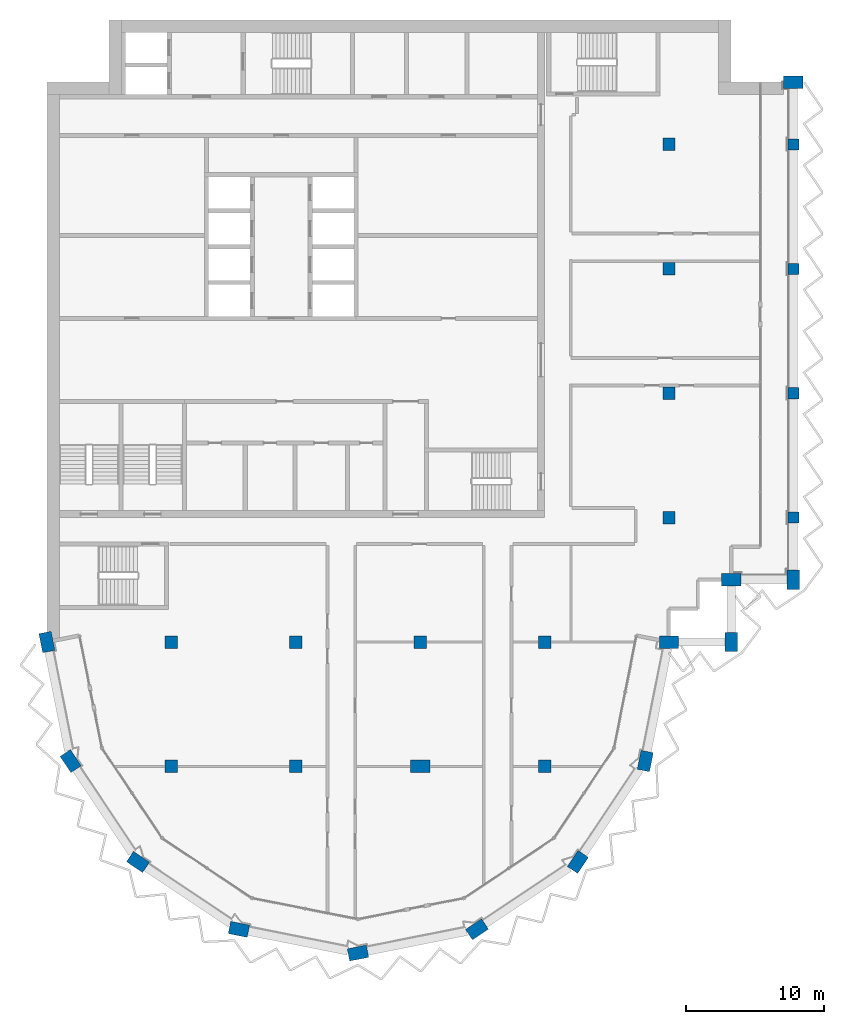
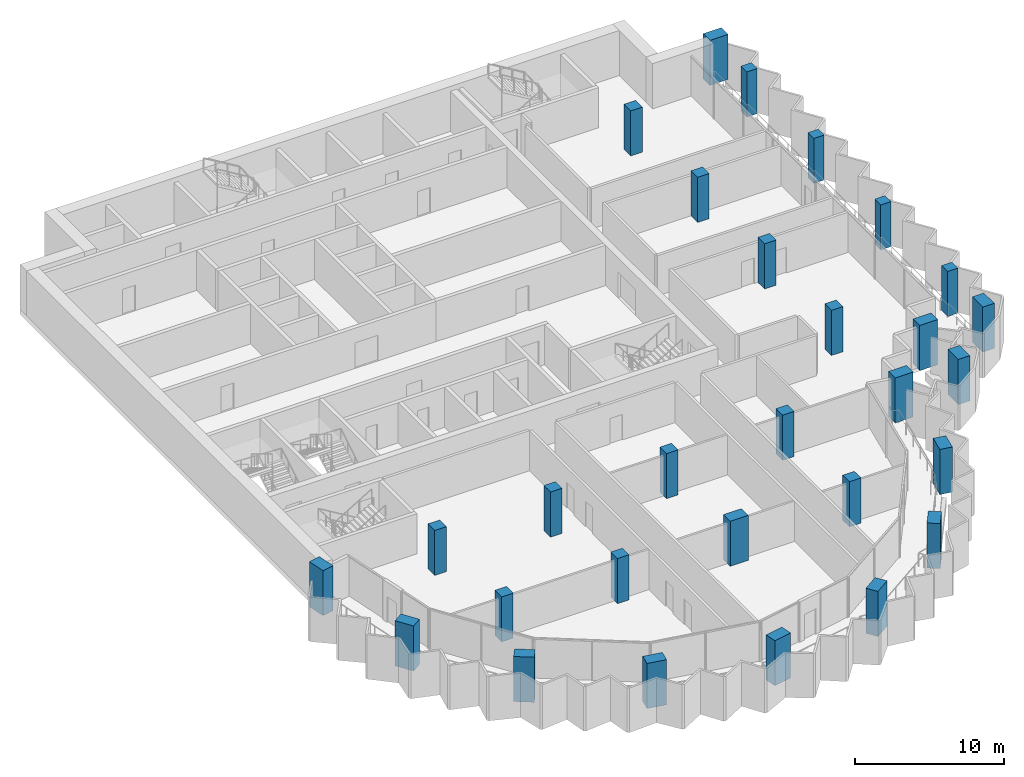
# One storey, part 1 of 14: 29 columns.
"""IFC4 building model written with IfcOpenShell, lengths in metres."""

from ifc_helpers import new_model, si_unit, direction, frame, origin, origin_2d, place, context, subcontext, project, spatial, rectangle, extrude, material, material_profile, profile_set, type_object, element, save


model = new_model("IFC4")

# Units and contexts
model_context = context("Model", 3, precision=1e-05, world=origin(), true_north=direction((0.0, 1.0)))
body_context = subcontext(model_context, "Body", "Model", "MODEL_VIEW")
ifc_project = project(units=[si_unit("LENGTHUNIT", "METRE"), si_unit("AREAUNIT", "SQUARE_METRE"), si_unit("VOLUMEUNIT", "CUBIC_METRE"), si_unit("PLANEANGLEUNIT", "RADIAN"), si_unit("MASSUNIT", "GRAM", prefix="KILO")], contexts=[model_context])

# Site, building, storey
site_placement = place(None, origin())
site = spatial("IfcSite", under=ifc_project, at=site_placement, CompositionType="ELEMENT")
building_placement = place(site_placement, origin())
building = spatial("IfcBuilding", under=site, at=building_placement, Name="Hunhe Ridgeline Campus", CompositionType="ELEMENT")
storey_placement = place(building_placement, frame((0.0, 0.0, 288.199951171875)))
storey = spatial("IfcBuildingStorey", under=building, at=storey_placement, Name="L74", CompositionType="ELEMENT", Elevation=288.199951171875)

# Columns
ifc_material = material(Name="Concrete C50", Category="concrete")
ifc_material_profile_1 = material_profile(ifc_material, rectangle(XDim=1.39990234375, YDim=0.89990234375, at=origin_2d()))
ifc_profile_set_1 = profile_set([ifc_material_profile_1], Name="Concrete C50")
column_type_1 = type_object("IfcColumnType", Name="Megacolumn 1400x900 Concrete C50", PredefinedType="COLUMN", material=ifc_profile_set_1)
for number, where, z_axis, x_axis, name in (
    (1, (22.5, 31.5, 0.0), (0.0, 0.0, 1.0), (0.980785280403, 0.195090322016, 0.0), "Column C16 R20 L74"),
    (2, (13.8896484375, 33.212646484375, 0.0), (0.0, 0.0, 1.0), (-0.980785280403, 0.195090322016, 0.0), "Column C16 R21 L74"),
    (3, (31.1103515625, 33.212646484375, 0.0), (0.0, 0.0, 1.0), (0.831469612303, 0.55557023302, 0.0), "Column C16 R22 L74"),
    (4, (6.590087890625, 38.090087890625, 0.0), (0.0, 0.0, 1.0), (-0.831469612303, 0.55557023302, 0.0), "Column C16 R25 L74"),
    (5, (38.409912109375, 38.090087890625, 0.0), (0.0, 0.0, 1.0), (0.55557023302, 0.831469612303, 0.0), "Column C16 R26 L74"),
    (6, (1.712646484375, 45.3896484375, 0.0), (0.0, 0.0, 1.0), (-0.55557023302, 0.831469612303, 0.0), "Column C16 R27 L74"),
    (7, (43.287353515625, 45.3896484375, 0.0), (0.0, 0.0, 1.0), (0.195090322016, 0.980785280403, 0.0), "Column C16 R28 L74"),
    (8, (0.0, 54.0, 0.0), (0.0, 0.0, 1.0), (-0.195090322016, 0.980785280403, 0.0), "Column C16 G1 L74"),
    (9, (45.0, 54.0, 0.0), (0.0, 0.0, 1.0), (1.0, 0.0, 0.0), "Column C16 G6 L74"),
    (10, (49.5, 54.0, 0.0), (0.0, 0.0, 1.0), (0.0, 1.0, 0.0), "Column C16 R29 L74"),
    (11, (49.5, 58.5, 0.0), (0.0, 0.0, 1.0), (1.0, 0.0, 0.0), "Column C16 R33 L74"),
    (12, (54.0, 58.5, 0.0), (0.0, 0.0, 1.0), (0.0, 1.0, 0.0), "Column C16 R34 L74"),
    (13, (54.0, 94.5, 0.0), (0.0, 0.0, 1.0), (1.0, 0.0, 0.0), "Column C16 R41 L74"),
    (14, (27.0, 45.0, 0.0), (0.0, 0.0, 1.0), (1.0, 0.0, 0.0), "Column C16 F4 L74"),
):
    element("IfcColumn", number, at=place(storey_placement, frame(where, z_axis=z_axis, x_axis=x_axis)), inside=storey, type_object=column_type_1, Name=name, PredefinedType="COLUMN", context=body_context, shape_type="SweptSolid", body=[
        extrude(rectangle(XDim=1.39990234375, YDim=0.89990234375, at=origin_2d()), origin(), (0.0, 0.0, 1.0), 3.699951171875),
    ])
ifc_material_profile_2 = material_profile(ifc_material, rectangle(XDim=0.800048828125, YDim=0.800048828125, at=origin_2d()))
ifc_profile_set_2 = profile_set([ifc_material_profile_2], Name="Concrete C50")
column_type_2 = type_object("IfcColumnType", Name="RC column 800x800 Concrete C50", PredefinedType="COLUMN", material=ifc_profile_set_2)
for number, where, z_axis, x_axis, name in (
    (15, (54.0, 63.0, 0.0), (0.0, 0.0, 1.0), (1.0, 0.0, 0.0), "Column C17 H7 L74"),
    (16, (54.0, 72.0, 0.0), (0.0, 0.0, 1.0), (1.0, 0.0, 0.0), "Column C17 I7 L74"),
    (17, (54.0, 81.0, 0.0), (0.0, 0.0, 1.0), (1.0, 0.0, 0.0), "Column C17 J7 L74"),
    (18, (54.0, 90.0, 0.0), (0.0, 0.0, 1.0), (1.0, 0.0, 0.0), "Column C17 K7 L74"),
):
    element("IfcColumn", number, at=place(storey_placement, frame(where, z_axis=z_axis, x_axis=x_axis)), inside=storey, type_object=column_type_2, Name=name, PredefinedType="COLUMN", context=body_context, shape_type="SweptSolid", body=[
        extrude(rectangle(XDim=0.800048828125, YDim=0.800048828125, at=origin_2d()), origin(), (0.0, 0.0, 1.0), 3.699951171875),
    ])
ifc_material_profile_3 = material_profile(ifc_material, rectangle(XDim=0.89990234375, YDim=0.89990234375, at=origin_2d()))
ifc_profile_set_3 = profile_set([ifc_material_profile_3], Name="Concrete C50")
column_type_3 = type_object("IfcColumnType", Name="RC column 900x900 Concrete C50", PredefinedType="COLUMN", material=ifc_profile_set_3)
for number, where, z_axis, x_axis, name in (
    (19, (9.0, 45.0, 0.0), (0.0, 0.0, 1.0), (1.0, 0.0, 0.0), "Column C18 F2 L74"),
    (20, (9.0, 54.0, 0.0), (0.0, 0.0, 1.0), (1.0, 0.0, 0.0), "Column C18 G2 L74"),
    (21, (18.0, 45.0, 0.0), (0.0, 0.0, 1.0), (1.0, 0.0, 0.0), "Column C18 F3 L74"),
    (22, (18.0, 54.0, 0.0), (0.0, 0.0, 1.0), (1.0, 0.0, 0.0), "Column C18 G3 L74"),
    (23, (27.0, 54.0, 0.0), (0.0, 0.0, 1.0), (1.0, 0.0, 0.0), "Column C18 G4 L74"),
    (24, (36.0, 45.0, 0.0), (0.0, 0.0, 1.0), (1.0, 0.0, 0.0), "Column C18 F5 L74"),
    (25, (36.0, 54.0, 0.0), (0.0, 0.0, 1.0), (1.0, 0.0, 0.0), "Column C18 G5 L74"),
    (26, (45.0, 63.0, 0.0), (0.0, 0.0, 1.0), (1.0, 0.0, 0.0), "Column C18 H6 L74"),
    (27, (45.0, 72.0, 0.0), (0.0, 0.0, 1.0), (1.0, 0.0, 0.0), "Column C18 I6 L74"),
    (28, (45.0, 81.0, 0.0), (0.0, 0.0, 1.0), (1.0, 0.0, 0.0), "Column C18 J6 L74"),
    (29, (45.0, 90.0, 0.0), (0.0, 0.0, 1.0), (1.0, 0.0, 0.0), "Column C18 K6 L74"),
):
    element("IfcColumn", number, at=place(storey_placement, frame(where, z_axis=z_axis, x_axis=x_axis)), inside=storey, type_object=column_type_3, Name=name, PredefinedType="COLUMN", context=body_context, shape_type="SweptSolid", body=[
        extrude(rectangle(XDim=0.89990234375, YDim=0.89990234375, at=origin_2d()), origin(), (0.0, 0.0, 1.0), 3.699951171875),
    ])

save(model, "model.ifc")
